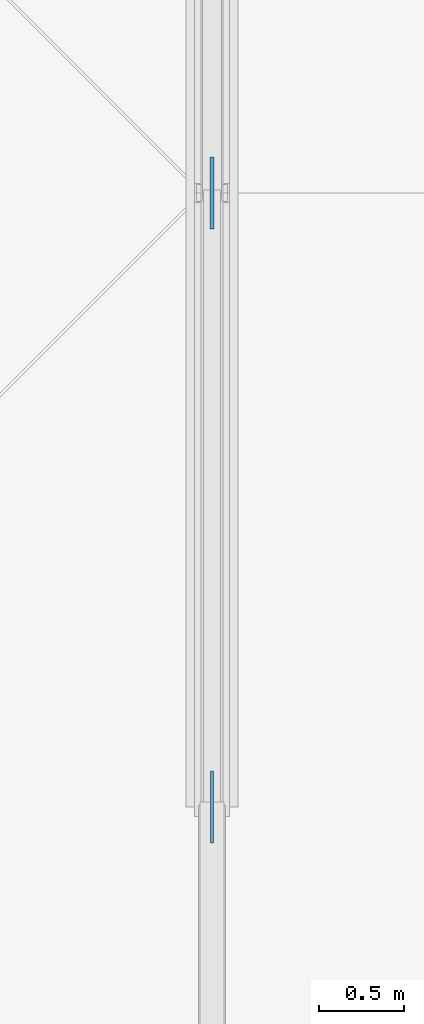
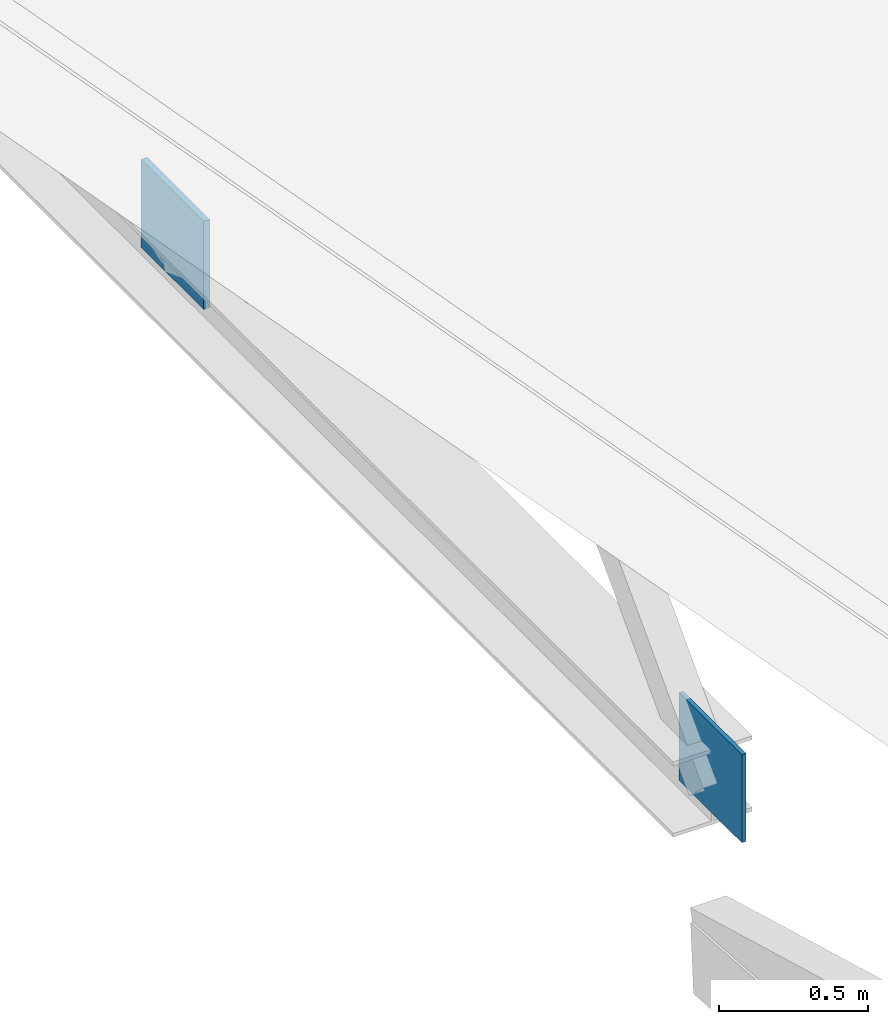
# One storey, part 29 of 51: 2 plates.
"""IFC4 building model written with IfcOpenShell, lengths in metres."""

from ifc_helpers import new_model, si_unit, direction, frame, origin, origin_2d, place, context, subcontext, project, spatial, rectangle, extrude, material, layer, layer_set, type_object, element, save


model = new_model("IFC4")

# Units and contexts
model_context = context("Model", 3, precision=1e-05, world=origin(), true_north=direction((0.0, 1.0)))
body_context = subcontext(model_context, "Body", "Model", "MODEL_VIEW")
ifc_project = project(units=[si_unit("LENGTHUNIT", "METRE"), si_unit("AREAUNIT", "SQUARE_METRE"), si_unit("VOLUMEUNIT", "CUBIC_METRE"), si_unit("PLANEANGLEUNIT", "RADIAN"), si_unit("MASSUNIT", "GRAM", prefix="KILO")], contexts=[model_context])

# Site, building, storey
site_placement = place(None, origin())
site = spatial("IfcSite", under=ifc_project, at=site_placement, CompositionType="ELEMENT")
building_placement = place(site_placement, origin())
building = spatial("IfcBuilding", under=site, at=building_placement, Name="Steenspoor Specialist Clinic", CompositionType="ELEMENT")
storey_placement = place(building_placement, frame((0.0, 0.0, 17.39990234375)))
storey = spatial("IfcBuildingStorey", under=building, at=storey_placement, Name="L04", CompositionType="ELEMENT", Elevation=17.39990234375)

# Plates
ifc_material = material(Name="Steel A572 Grade 50", Category="steel")
ifc_layer_1 = layer(ifc_material, 0.01611328125)
ifc_layer_set_1 = layer_set([ifc_layer_1], Name="Steel A572 Grade 50")
plate_type_1 = type_object("IfcPlateType", Name="PL-GUS-16", PredefinedType="SHEET", material=ifc_layer_set_1)
plate_1_placement = place(storey_placement, frame((59.60009765625, 72.35009765625, 0.07421875), z_axis=(0.0, 0.0, 1.0), x_axis=(1.0, 0.0, 0.0)))
element("IfcPlate", 1, at=plate_1_placement, inside=storey, type_object=plate_type_1, Name="Truss Gusset Plate GP-16", PredefinedType="SHEET", context=body_context, shape_type="SweptSolid", body=[
    extrude(rectangle(XDim=0.01611328125, YDim=0.419921875, at=origin_2d()), origin(), (0.0, 0.0, 1.0), 0.360107421875),
])
ifc_layer_2 = layer(ifc_material, 0.02392578125)
ifc_layer_set_2 = layer_set([ifc_layer_2], Name="Steel A572 Grade 50")
plate_type_2 = type_object("IfcPlateType", Name="PL-GUS-24", PredefinedType="SHEET", material=ifc_layer_set_2)
plate_2_placement = place(storey_placement, frame((59.60009765625, 75.949951171875, 0.07421875), z_axis=(0.0, 0.0, 1.0), x_axis=(1.0, 0.0, 0.0)))
element("IfcPlate", 2, at=plate_2_placement, inside=storey, type_object=plate_type_2, Name="Truss Gusset Plate GP-24", PredefinedType="SHEET", context=body_context, shape_type="SweptSolid", body=[
    extrude(rectangle(XDim=0.02392578125, YDim=0.419921875, at=origin_2d()), origin(), (0.0, 0.0, 1.0), 0.360107421875),
])

save(model, "model.ifc")
